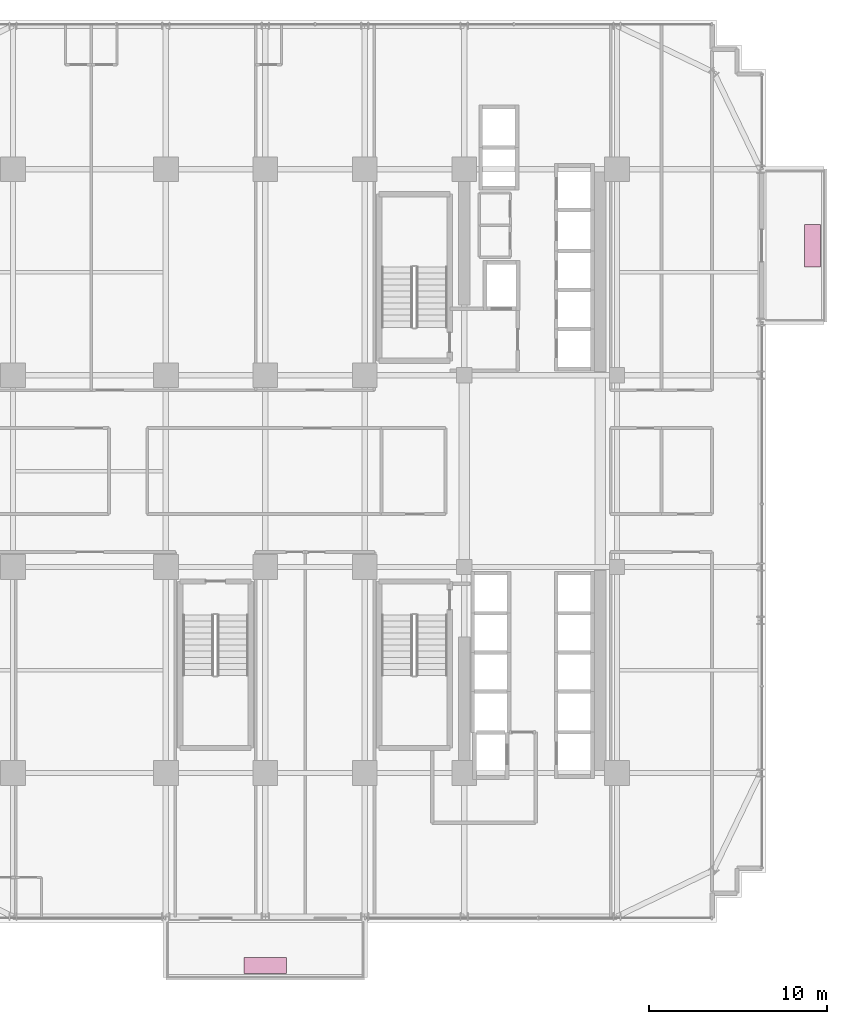
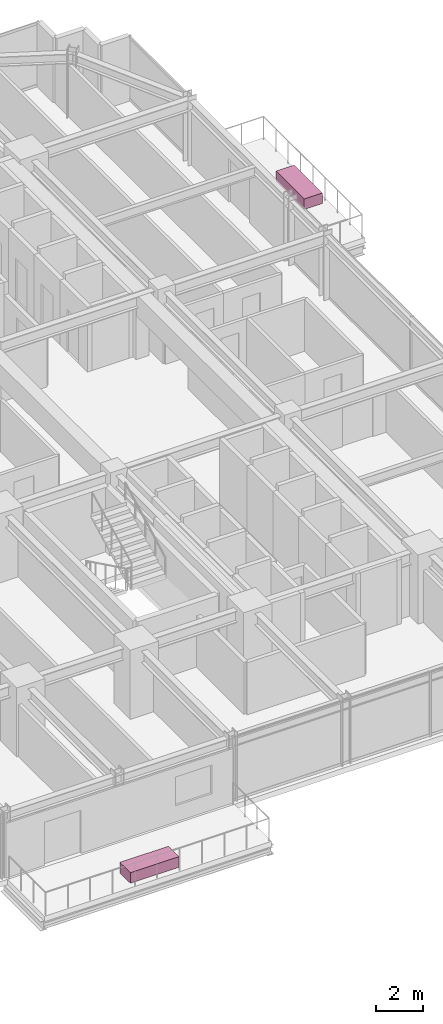
# One storey, part 36 of 36: 2 furnishings.
"""IFC4 building model written with IfcOpenShell, lengths in metres."""

from ifc_helpers import new_model, si_unit, direction, frame, origin, origin_2d, place, context, subcontext, project, spatial, rectangle, extrude, source, transform, mapped, material, type_object, element, save


model = new_model("IFC4")

# Units and contexts
model_context = context("Model", 3, precision=1e-05, world=origin(), true_north=direction((0.0, 1.0)))
body_context = subcontext(model_context, "Body", "Model", "MODEL_VIEW")
ifc_project = project(units=[si_unit("LENGTHUNIT", "METRE"), si_unit("AREAUNIT", "SQUARE_METRE"), si_unit("VOLUMEUNIT", "CUBIC_METRE"), si_unit("PLANEANGLEUNIT", "RADIAN"), si_unit("MASSUNIT", "GRAM", prefix="KILO")], contexts=[model_context])

# Site, building, storey
site_placement = place(None, origin())
site = spatial("IfcSite", under=ifc_project, at=site_placement, CompositionType="ELEMENT")
building_placement = place(site_placement, origin())
building = spatial("IfcBuilding", under=site, at=building_placement, Name="Nahalor Promenade Grand Hotel", CompositionType="ELEMENT")
storey_placement = place(building_placement, frame((0.0, 0.0, 72.550048828125)))
storey = spatial("IfcBuildingStorey", under=building, at=storey_placement, Name="L17", CompositionType="ELEMENT", Elevation=72.550048828125)

# Furnishings
ifc_material = material(Name="Vegetated Volcanic-Lapilli Tree Planter", Category="earth")
furnishing_element_type = type_object("IfcFurnishingElementType", Name="Planter-VerticalForest-Box", material=ifc_material)
shared_shape = source(origin(), body_context, "Body", "SweptSolid", [
    extrude(rectangle(XDim=2.39990234375, YDim=0.89990234375, at=origin_2d()), origin(), (0.0, 0.0, 1.0), 0.550048828125),
])
for number, where, z_axis, x_axis, name in (
    (1, (-2.800048828125, -27.830078125, 0.0), (0.0, 0.0, 1.0), (1.0, 0.0, 0.0), "L17 Balcony Structural Tree Planter 1"),
    (2, (28.0, 12.699951171875, 0.0), (0.0, 0.0, 1.0), (0.0, 1.0, 0.0), "L17 Balcony Structural Tree Planter 2"),
):
    element("IfcFurnishingElement", number, at=place(storey_placement, frame(where, z_axis=z_axis, x_axis=x_axis)), inside=storey, type_object=furnishing_element_type, Name=name, ObjectType="PLANTER", context=body_context, shape_type="MappedRepresentation", body=[
        mapped(shared_shape, transform((0.0, 0.0, 0.0), scale=1.0)),
    ])

save(model, "model.ifc")
